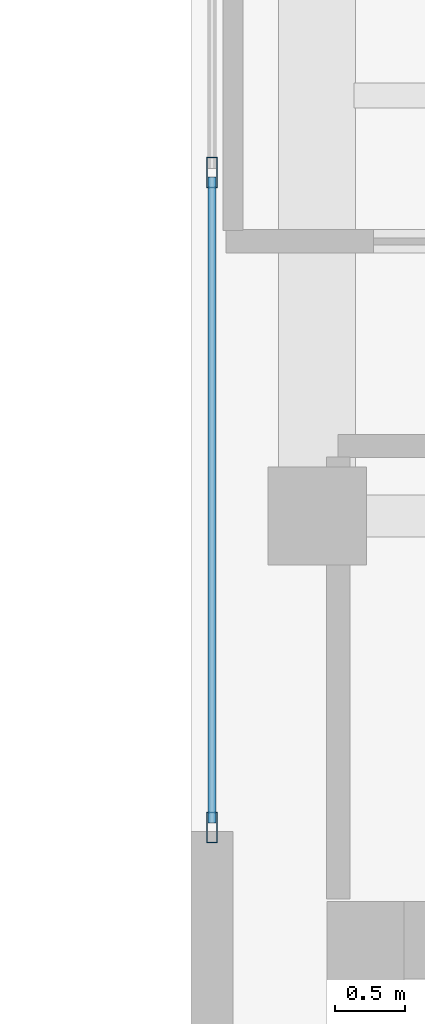
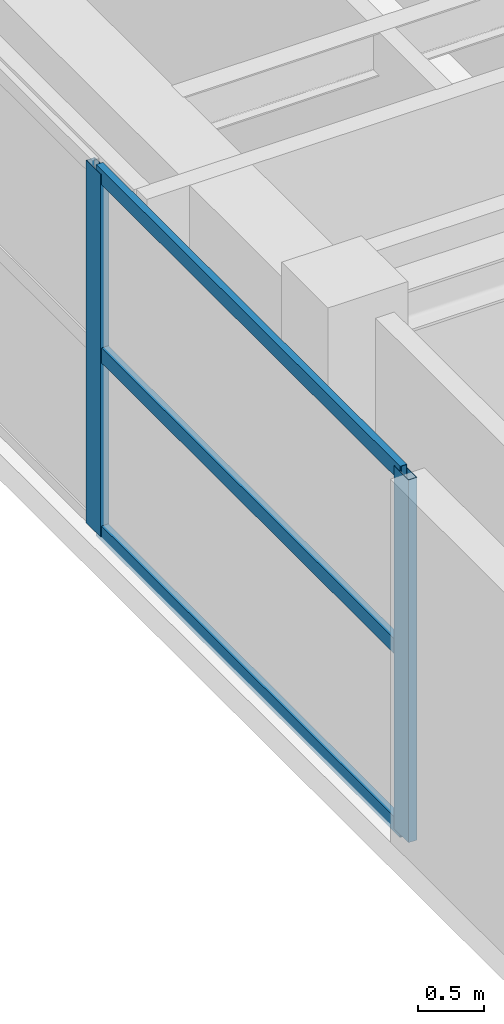
# One storey, part 9 of 22: 5 members, 1 element without a shape of its own.
"""IFC4 building model written with IfcOpenShell, lengths in metres."""

from ifc_helpers import new_model, si_unit, direction, frame, origin, origin_2d, place, context, subcontext, project, spatial, hollow_rectangle, extrude, source, transform, mapped, material, layer, layer_set, material_profile, profile_set, type_object, element, aggregate, save


model = new_model("IFC4")

# Units and contexts
model_context = context("Model", 3, precision=1e-05, world=origin(), true_north=direction((0.0, 1.0)))
body_context = subcontext(model_context, "Body", "Model", "MODEL_VIEW")
ifc_project = project(units=[si_unit("LENGTHUNIT", "METRE"), si_unit("AREAUNIT", "SQUARE_METRE"), si_unit("VOLUMEUNIT", "CUBIC_METRE"), si_unit("PLANEANGLEUNIT", "RADIAN"), si_unit("MASSUNIT", "GRAM", prefix="KILO")], contexts=[model_context])

# Site, building, storey
site_placement = place(None, origin())
site = spatial("IfcSite", under=ifc_project, at=site_placement, CompositionType="ELEMENT")
building_placement = place(site_placement, origin())
building = spatial("IfcBuilding", under=site, at=building_placement, Name="Khoralis Quay Care Tower", CompositionType="ELEMENT")
storey_placement = place(building_placement, frame((0.0, 0.0, 260.10009765625)))
storey = spatial("IfcBuildingStorey", under=building, at=storey_placement, Name="L68", CompositionType="ELEMENT", Elevation=260.10009765625)

# Curtain wall, members
ifc_material = material(Name="Pale anodised aluminium", Category="aluminium")
ifc_layer = layer(ifc_material, 0.18994140625)
ifc_layer_set = layer_set([ifc_layer], Name="Pale anodised aluminium")
curtain_wall_type = type_object("IfcCurtainWallType", Name="CW-SYS-PORTAL", PredefinedType="NOTDEFINED", material=ifc_layer_set)
curtain_wall_placement = place(storey_placement, origin())
curtain_wall = element("IfcCurtainWall", 1, at=curtain_wall_placement, inside=storey, type_object=curtain_wall_type, Name="L68 Unitised Curtain Wall CW-VP-L68-P2-N", PredefinedType="NOTDEFINED")
ifc_material_profile_1 = material_profile(ifc_material, hollow_rectangle(XDim=0.06005859375, YDim=0.139892578125, WallThickness=0.00390625, at=origin_2d()), Name="Pale anodised aluminium")
ifc_profile_set_1 = profile_set([ifc_material_profile_1], Name="Pale anodised aluminium")
member_type_1 = type_object("IfcMemberType", Name="CW-TRN-140", PredefinedType="USERDEFINED", material=ifc_profile_set_1)
shared_shape_1 = source(origin(), body_context, "Body", "SweptSolid", [
    extrude(hollow_rectangle(XDim=0.06005859375, YDim=0.139892578125, WallThickness=0.00390625, at=origin_2d()), origin(), (0.0, 0.0, 1.0), 4.60986328125),
])
member_1_placement = place(storey_placement, frame((30.14990234375, 27.81005859375, 0.02978515625), z_axis=(0.0, 1.0, 0.0), x_axis=(-1.0, 0.0, 0.0)))
member_1 = element("IfcMember", 2, at=member_1_placement, type_object=member_type_1, Name="CW4 transom 1.1", ObjectType="TRANSOM", PredefinedType="USERDEFINED", context=body_context, shape_type="MappedRepresentation", body=[
    mapped(shared_shape_1, transform((0.0, 0.0, 0.0), scale=1.0)),
])
member_2_placement = place(storey_placement, frame((30.14990234375, 27.81005859375, 1.679931640625), z_axis=(0.0, 1.0, 0.0), x_axis=(-1.0, 0.0, 0.0)))
member_2 = element("IfcMember", 3, at=member_2_placement, type_object=member_type_1, Name="CW4 transom 1.2", ObjectType="TRANSOM", PredefinedType="USERDEFINED", context=body_context, shape_type="MappedRepresentation", body=[
    mapped(shared_shape_1, transform((0.0, 0.0, 0.0), scale=1.0)),
])
member_3_placement = place(storey_placement, frame((30.14990234375, 27.81005859375, 3.329833984375), z_axis=(0.0, 1.0, 0.0), x_axis=(-1.0, 0.0, 0.0)))
member_3 = element("IfcMember", 4, at=member_3_placement, type_object=member_type_1, Name="CW4 transom 1.3", ObjectType="TRANSOM", PredefinedType="USERDEFINED", context=body_context, shape_type="MappedRepresentation", body=[
    mapped(shared_shape_1, transform((0.0, 0.0, 0.0), scale=1.0)),
])
ifc_material_profile_2 = material_profile(ifc_material, hollow_rectangle(XDim=0.074951171875, YDim=0.219970703125, WallThickness=0.00390625, at=origin_2d()), Name="Pale anodised aluminium")
ifc_profile_set_2 = profile_set([ifc_material_profile_2], Name="Pale anodised aluminium")
member_type_2 = type_object("IfcMemberType", Name="CW-MUL-220", PredefinedType="MULLION", material=ifc_profile_set_2)
shared_shape_2 = source(origin(), body_context, "Body", "SweptSolid", [
    extrude(hollow_rectangle(XDim=0.074951171875, YDim=0.219970703125, WallThickness=0.00390625, at=origin_2d()), origin(), (0.0, 0.0, 1.0), 3.35986328125),
])
member_4_placement = place(storey_placement, frame((30.14990234375, 27.780029296875, 0.0), z_axis=(0.0, 0.0, 1.0), x_axis=(-1.0, 0.0, 0.0)))
member_4 = element("IfcMember", 5, at=member_4_placement, type_object=member_type_2, Name="CW4 mullion 1", PredefinedType="MULLION", context=body_context, shape_type="MappedRepresentation", body=[
    mapped(shared_shape_2, transform((0.0, 0.0, 0.0), scale=1.0)),
])
member_5_placement = place(storey_placement, frame((30.14990234375, 32.449951171875, 0.0), z_axis=(0.0, 0.0, 1.0), x_axis=(-1.0, 0.0, 0.0)))
member_5 = element("IfcMember", 6, at=member_5_placement, type_object=member_type_2, Name="CW4 mullion 2", PredefinedType="MULLION", context=body_context, shape_type="MappedRepresentation", body=[
    mapped(shared_shape_2, transform((0.0, 0.0, 0.0), scale=1.0)),
])
aggregate(curtain_wall, [member_4, member_5, member_1, member_2, member_3])

save(model, "model.ifc")
